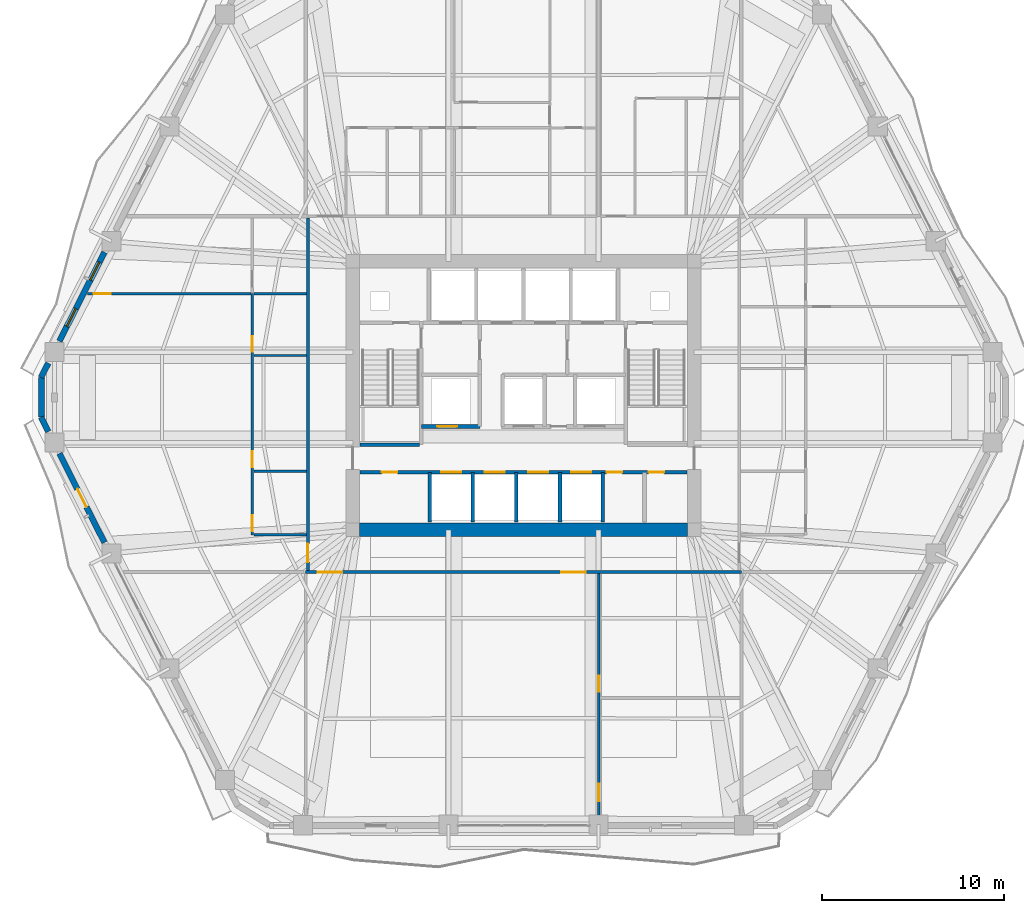
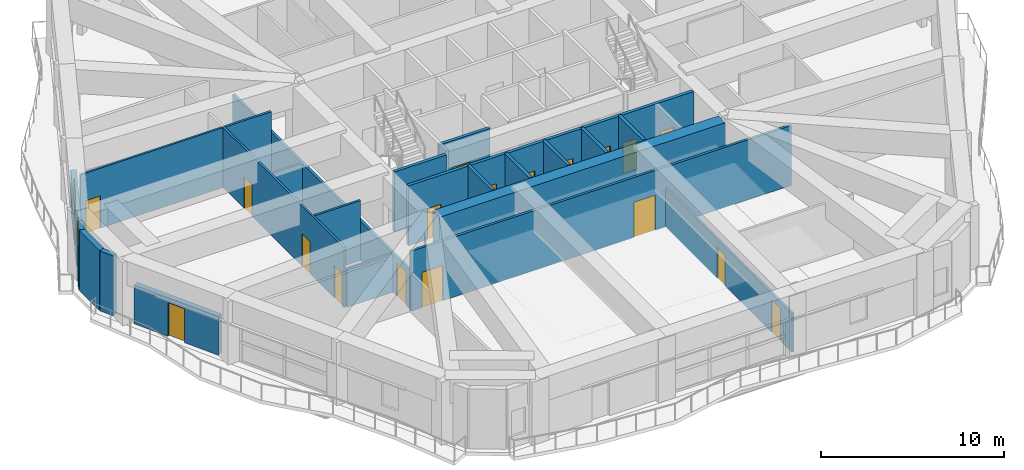
# One storey, part 14 of 23: 23 walls, 18 doors, 2 windows, 20 openings.
"""IFC4 building model written with IfcOpenShell, lengths in metres."""

from ifc_helpers import new_model, si_unit, direction, frame, frame_2d, origin, place, context, subcontext, project, spatial, rectangle, extrude, material, layer, layer_set, type_object, element, fill, save


model = new_model("IFC4")

# Units and contexts
model_context = context("Model", 3, precision=1e-05, world=origin(), true_north=direction((0.0, 1.0)))
body_context = subcontext(model_context, "Body", "Model", "MODEL_VIEW")
ifc_project = project(units=[si_unit("LENGTHUNIT", "METRE"), si_unit("AREAUNIT", "SQUARE_METRE"), si_unit("VOLUMEUNIT", "CUBIC_METRE"), si_unit("PLANEANGLEUNIT", "RADIAN"), si_unit("MASSUNIT", "GRAM", prefix="KILO")], contexts=[model_context])

# Site, building, storey
site_placement = place(None, origin())
site = spatial("IfcSite", under=ifc_project, at=site_placement, CompositionType="ELEMENT")
building_placement = place(site_placement, origin())
building = spatial("IfcBuilding", under=site, at=building_placement, Name="Cinnabar Lancet Tower", CompositionType="ELEMENT")
storey_placement = place(building_placement, frame((0.0, 0.0, 94.199951171875)))
storey = spatial("IfcBuildingStorey", under=building, at=storey_placement, Name="L24", CompositionType="ELEMENT", Elevation=94.199951171875)

# Wall, openings, doors
ifc_material_1 = material(Name="Acoustic twin-stud gypsum partition", Category="gypsum")
ifc_layer_1 = layer(ifc_material_1, 0.159912109375)
ifc_layer_set_1 = layer_set([ifc_layer_1], Name="Acoustic twin-stud gypsum partition")
wall_type_1 = type_object("IfcWallType", Name="ARC-WL-CORR-160", PredefinedType="PARTITIONING", material=ifc_layer_set_1)
wall_1_placement = place(storey_placement, frame((20.43310546875, 16.199951171875, 0.0), z_axis=(0.0, 0.0, 1.0), x_axis=(1.0, 0.0, 0.0)))
wall_1 = element("IfcWall", 1, at=wall_1_placement, inside=storey, type_object=wall_type_1, Name="PW-L24-SLN", PredefinedType="PARTITIONING", context=body_context, shape_type="SweptSolid", body=[
    extrude(rectangle(XDim=23.933837890625, YDim=0.159912109375, at=frame_2d((11.966796875, 0.0))), origin(), (0.0, 0.0, 1.0), 3.989990234375),
])
opening_1_placement = place(wall_1_placement, frame((0.6669921875, 0.0, 0.0)))
opening_1 = element("IfcOpeningElement", 2, at=opening_1_placement, cuts=wall_1, Name="Opening UD-02", PredefinedType="OPENING", context=body_context, shape_type="SweptSolid", body=[
    extrude(rectangle(XDim=1.35009765625, YDim=2.35009765625, at=frame_2d((0.675048828125, 1.175048828125))), frame((0.0, 0.08984375, 0.0), z_axis=(0.0, -1.0, 0.0), x_axis=(1.0, 0.0, 0.0)), (0.0, 0.0, 1.0), 0.179931640625),
])
opening_2_placement = place(wall_1_placement, frame((14.0390625, 0.0, 0.0)))
opening_2 = element("IfcOpeningElement", 3, at=opening_2_placement, cuts=wall_1, Name="Opening UD-02", PredefinedType="OPENING", context=body_context, shape_type="SweptSolid", body=[
    extrude(rectangle(XDim=1.35009765625, YDim=2.35009765625, at=frame_2d((0.675048828125, 1.175048828125))), frame((0.0, 0.08984375, 0.0), z_axis=(0.0, -1.0, 0.0), x_axis=(1.0, 0.0, 0.0)), (0.0, 0.0, 1.0), 0.179931640625),
])
ifc_material_2 = material(Name="Double-leaf solid timber penthouse entrance door", Category="wood")
door_type_1 = type_object("IfcDoorType", Name="ARC-DR-UNIT-PH", OperationType="NOTDEFINED", PredefinedType="DOOR", material=ifc_material_2)
door_1_placement = place(opening_1_placement, origin())
door_1 = element("IfcDoor", 4, at=door_1_placement, inside=storey, type_object=door_type_1, Name="DR-L24-SLOBW", OperationType="SINGLE_SWING_LEFT", OverallHeight=2.35009765625, OverallWidth=1.35009765625, PredefinedType="DOOR", context=body_context, shape_type="SweptSolid", body=[
    extrude(rectangle(XDim=1.35009765625, YDim=2.35009765625, at=frame_2d((0.675048828125, 1.175048828125))), frame((0.0, 0.02490234375, 0.0), z_axis=(0.0, -1.0, 0.0), x_axis=(1.0, 0.0, 0.0)), (0.0, 0.0, 1.0), 0.050048828125),
])
fill(opening_1, door_1)
door_2_placement = place(opening_2_placement, origin())
door_2 = element("IfcDoor", 5, at=door_2_placement, inside=storey, type_object=door_type_1, Name="DR-L24-SLOBE", OperationType="SINGLE_SWING_RIGHT", OverallHeight=2.35009765625, OverallWidth=1.35009765625, PredefinedType="DOOR", context=body_context, shape_type="SweptSolid", body=[
    extrude(rectangle(XDim=1.35009765625, YDim=2.35009765625, at=frame_2d((0.675048828125, 1.175048828125))), frame((0.0, 0.02490234375, 0.0), z_axis=(0.0, -1.0, 0.0), x_axis=(1.0, 0.0, 0.0)), (0.0, 0.0, 1.0), 0.050048828125),
])
fill(opening_2, door_2)

# Wall, opening, door
wall_2_placement = place(storey_placement, frame((20.550048828125, 16.294921875, 0.0), z_axis=(0.0, 0.0, 1.0), x_axis=(0.0, 1.0, 0.0)))
wall_2 = element("IfcWall", 6, at=wall_2_placement, inside=storey, type_object=wall_type_1, Name="UW-L24-W01-COR", PredefinedType="PARTITIONING", context=body_context, shape_type="SweptSolid", body=[
    extrude(rectangle(XDim=19.360107421875, YDim=0.159912109375, at=frame_2d((9.68017578125, 0.0))), origin(), (0.0, 0.0, 1.0), 2.590087890625),
])
opening_3_placement = place(wall_2_placement, frame((0.449951171875, 0.0, 0.0)))
opening_3 = element("IfcOpeningElement", 7, at=opening_3_placement, cuts=wall_2, Name="Opening UD-01", PredefinedType="OPENING", context=body_context, shape_type="SweptSolid", body=[
    extrude(rectangle(XDim=1.02001953125, YDim=2.25, at=frame_2d((0.510009765625, 1.125))), frame((0.0, 0.08984375, 0.0), z_axis=(0.0, -1.0, 0.0), x_axis=(1.0, 0.0, 0.0)), (0.0, 0.0, 1.0), 0.179931640625),
])
ifc_material_3 = material(Name="Solid timber fire-rated apartment entrance door", Category="wood")
door_type_2 = type_object("IfcDoorType", Name="ARC-DR-UNIT", OperationType="NOTDEFINED", PredefinedType="DOOR", material=ifc_material_3)
door_3_placement = place(opening_3_placement, origin())
door_3 = element("IfcDoor", 8, at=door_3_placement, inside=storey, type_object=door_type_2, Name="DR-L24-W01-ENT", OperationType="SINGLE_SWING_LEFT", OverallHeight=2.25, OverallWidth=1.02001953125, PredefinedType="DOOR", context=body_context, shape_type="SweptSolid", body=[
    extrude(rectangle(XDim=1.02001953125, YDim=2.25, at=frame_2d((0.510009765625, 1.125))), frame((0.0, 0.02490234375, 0.0), z_axis=(0.0, -1.0, 0.0), x_axis=(1.0, 0.0, 0.0)), (0.0, 0.0, 1.0), 0.050048828125),
])
fill(opening_3, door_3)

# Wall
ifc_material_4 = material(Name="Autoclaved aerated concrete blockwork", Category="masonry")
ifc_layer_2 = layer(ifc_material_4, 0.199951171875)
ifc_layer_set_2 = layer_set([ifc_layer_2], Name="Autoclaved aerated concrete blockwork")
wall_type_2 = type_object("IfcWallType", Name="ARC-WL-SHAFT-200", PredefinedType="PLUMBINGWALL", material=ifc_layer_set_2)
wall_3_placement = place(storey_placement, frame((23.405029296875, 23.199951171875, 0.0), z_axis=(0.0, 0.0, 1.0), x_axis=(1.0, 0.0, 0.0)))
element("IfcWall", 9, at=wall_3_placement, inside=storey, type_object=wall_type_2, Name="CW-ST1S-L24", PredefinedType="PLUMBINGWALL", context=body_context, shape_type="SweptSolid", body=[
    extrude(rectangle(XDim=3.27001953125, YDim=0.199951171875, at=frame_2d((1.635009765625, 0.0))), origin(), (0.0, 0.0, 1.0), 3.989990234375),
])

# Wall, opening, door
wall_4_placement = place(storey_placement, frame((26.800048828125, 24.199951171875, 0.0), z_axis=(0.0, 0.0, 1.0), x_axis=(1.0, 0.0, 0.0)))
wall_4 = element("IfcWall", 10, at=wall_4_placement, inside=storey, type_object=wall_type_2, Name="CW-PL5S-L24", PredefinedType="PLUMBINGWALL", context=body_context, shape_type="SweptSolid", body=[
    extrude(rectangle(XDim=3.199951171875, YDim=0.199951171875, at=frame_2d((1.60009765625, 0.0))), origin(), (0.0, 0.0, 1.0), 3.989990234375),
])
opening_4_placement = place(wall_4_placement, frame((0.85009765625, 0.0, 0.0)))
opening_4 = element("IfcOpeningElement", 11, at=opening_4_placement, cuts=wall_4, Name="Opening LD-01", PredefinedType="OPENING", context=body_context, shape_type="SweptSolid", body=[
    extrude(rectangle(XDim=1.10009765625, YDim=2.199951171875, at=frame_2d((0.550048828125, 1.10009765625))), frame((0.0, 0.10986328125, 0.0), z_axis=(0.0, -1.0, 0.0), x_axis=(1.0, 0.0, 0.0)), (0.0, 0.0, 1.0), 0.219970703125),
])
ifc_material_5 = material(Name="Brushed stainless steel sliding lift door", Category="steel")
door_type_3 = type_object("IfcDoorType", Name="ARC-DR-LD-PASS", OperationType="NOTDEFINED", PredefinedType="DOOR", material=ifc_material_5)
door_4_placement = place(opening_4_placement, origin())
door_4 = element("IfcDoor", 12, at=door_4_placement, inside=storey, type_object=door_type_3, Name="L24 Lift PL-5 Landing Door", OperationType="DOUBLE_DOOR_SLIDING", OverallHeight=2.199951171875, OverallWidth=1.10009765625, PredefinedType="DOOR", context=body_context, shape_type="SweptSolid", body=[
    extrude(rectangle(XDim=1.10009765625, YDim=2.199951171875, at=frame_2d((0.550048828125, 1.10009765625))), frame((0.0, 0.02490234375, 0.0), z_axis=(0.0, -1.0, 0.0), x_axis=(1.0, 0.0, 0.0)), (0.0, 0.0, 1.0), 0.050048828125),
])
fill(opening_4, door_4)

# Wall, openings, doors
wall_5_placement = place(storey_placement, frame((23.419921875, 21.679931640625, 0.0), z_axis=(0.0, 0.0, 1.0), x_axis=(1.0, 0.0, 0.0)))
wall_5 = element("IfcWall", 13, at=wall_5_placement, inside=storey, type_object=wall_type_2, Name="CW-SBANDN-L24", PredefinedType="PLUMBINGWALL", context=body_context, shape_type="SweptSolid", body=[
    extrude(rectangle(XDim=17.9599609375, YDim=0.199951171875, at=frame_2d((8.97998046875, 0.0))), origin(), (0.0, 0.0, 1.0), 3.989990234375),
])
opening_5_placement = place(wall_5_placement, frame((4.449951171875, 0.0, 0.0)))
opening_5 = element("IfcOpeningElement", 14, at=opening_5_placement, cuts=wall_5, Name="Opening LD-01", PredefinedType="OPENING", context=body_context, shape_type="SweptSolid", body=[
    extrude(rectangle(XDim=1.10009765625, YDim=2.199951171875, at=frame_2d((0.550048828125, 1.10009765625))), frame((0.0, 0.10986328125, 0.0), z_axis=(0.0, -1.0, 0.0), x_axis=(1.0, 0.0, 0.0)), (0.0, 0.0, 1.0), 0.219970703125),
])
opening_6_placement = place(wall_5_placement, frame((6.85009765625, 0.0, 0.0)))
opening_6 = element("IfcOpeningElement", 15, at=opening_6_placement, cuts=wall_5, Name="Opening LD-01", PredefinedType="OPENING", context=body_context, shape_type="SweptSolid", body=[
    extrude(rectangle(XDim=1.10009765625, YDim=2.199951171875, at=frame_2d((0.550048828125, 1.10009765625))), frame((0.0, 0.10986328125, 0.0), z_axis=(0.0, -1.0, 0.0), x_axis=(1.0, 0.0, 0.0)), (0.0, 0.0, 1.0), 0.219970703125),
])
opening_7_placement = place(wall_5_placement, frame((9.25, 0.0, 0.0)))
opening_7 = element("IfcOpeningElement", 16, at=opening_7_placement, cuts=wall_5, Name="Opening LD-01", PredefinedType="OPENING", context=body_context, shape_type="SweptSolid", body=[
    extrude(rectangle(XDim=1.10009765625, YDim=2.199951171875, at=frame_2d((0.550048828125, 1.10009765625))), frame((0.0, 0.10986328125, 0.0), z_axis=(0.0, -1.0, 0.0), x_axis=(1.0, 0.0, 0.0)), (0.0, 0.0, 1.0), 0.219970703125),
])
opening_8_placement = place(wall_5_placement, frame((11.60009765625, 0.0, 0.0)))
opening_8 = element("IfcOpeningElement", 17, at=opening_8_placement, cuts=wall_5, Name="Opening LD-01", PredefinedType="OPENING", context=body_context, shape_type="SweptSolid", body=[
    extrude(rectangle(XDim=1.10009765625, YDim=2.199951171875, at=frame_2d((0.550048828125, 1.10009765625))), frame((0.0, 0.10986328125, 0.0), z_axis=(0.0, -1.0, 0.0), x_axis=(1.0, 0.0, 0.0)), (0.0, 0.0, 1.0), 0.219970703125),
])
opening_9_placement = place(wall_5_placement, frame((1.199951171875, 0.0, 0.0)))
opening_9 = element("IfcOpeningElement", 18, at=opening_9_placement, cuts=wall_5, Name="Opening PD-02", PredefinedType="OPENING", context=body_context, shape_type="SweptSolid", body=[
    extrude(rectangle(XDim=0.85009765625, YDim=2.050048828125, at=frame_2d((0.425048828125, 1.02490234375))), frame((0.0, 0.10986328125, 0.0), z_axis=(0.0, -1.0, 0.0), x_axis=(1.0, 0.0, 0.0)), (0.0, 0.0, 1.0), 0.219970703125),
])
opening_10_placement = place(wall_5_placement, frame((13.550048828125, 0.0, 0.0)))
opening_10 = element("IfcOpeningElement", 19, at=opening_10_placement, cuts=wall_5, Name="Opening PD-02", PredefinedType="OPENING", context=body_context, shape_type="SweptSolid", body=[
    extrude(rectangle(XDim=0.85009765625, YDim=2.050048828125, at=frame_2d((0.425048828125, 1.02490234375))), frame((0.0, 0.10986328125, 0.0), z_axis=(0.0, -1.0, 0.0), x_axis=(1.0, 0.0, 0.0)), (0.0, 0.0, 1.0), 0.219970703125),
])
opening_11_placement = place(wall_5_placement, frame((15.85009765625, 0.0, 0.0)))
opening_11 = element("IfcOpeningElement", 20, at=opening_11_placement, cuts=wall_5, Name="Opening PD-02", PredefinedType="OPENING", context=body_context, shape_type="SweptSolid", body=[
    extrude(rectangle(XDim=0.85009765625, YDim=2.050048828125, at=frame_2d((0.425048828125, 1.02490234375))), frame((0.0, 0.10986328125, 0.0), z_axis=(0.0, -1.0, 0.0), x_axis=(1.0, 0.0, 0.0)), (0.0, 0.0, 1.0), 0.219970703125),
])
door_5_placement = place(opening_5_placement, origin())
door_5 = element("IfcDoor", 21, at=door_5_placement, inside=storey, type_object=door_type_3, Name="L24 Lift PL-1 Landing Door", OperationType="DOUBLE_DOOR_SLIDING", OverallHeight=2.199951171875, OverallWidth=1.10009765625, PredefinedType="DOOR", context=body_context, shape_type="SweptSolid", body=[
    extrude(rectangle(XDim=1.10009765625, YDim=2.199951171875, at=frame_2d((0.550048828125, 1.10009765625))), frame((0.0, 0.02490234375, 0.0), z_axis=(0.0, -1.0, 0.0), x_axis=(1.0, 0.0, 0.0)), (0.0, 0.0, 1.0), 0.050048828125),
])
fill(opening_5, door_5)
door_6_placement = place(opening_6_placement, origin())
door_6 = element("IfcDoor", 22, at=door_6_placement, inside=storey, type_object=door_type_3, Name="L24 Lift PL-2 Landing Door", OperationType="DOUBLE_DOOR_SLIDING", OverallHeight=2.199951171875, OverallWidth=1.10009765625, PredefinedType="DOOR", context=body_context, shape_type="SweptSolid", body=[
    extrude(rectangle(XDim=1.10009765625, YDim=2.199951171875, at=frame_2d((0.550048828125, 1.10009765625))), frame((0.0, 0.02490234375, 0.0), z_axis=(0.0, -1.0, 0.0), x_axis=(1.0, 0.0, 0.0)), (0.0, 0.0, 1.0), 0.050048828125),
])
fill(opening_6, door_6)
door_7_placement = place(opening_7_placement, origin())
door_7 = element("IfcDoor", 23, at=door_7_placement, inside=storey, type_object=door_type_3, Name="L24 Lift PL-3 Landing Door", OperationType="DOUBLE_DOOR_SLIDING", OverallHeight=2.199951171875, OverallWidth=1.10009765625, PredefinedType="DOOR", context=body_context, shape_type="SweptSolid", body=[
    extrude(rectangle(XDim=1.10009765625, YDim=2.199951171875, at=frame_2d((0.550048828125, 1.10009765625))), frame((0.0, 0.02490234375, 0.0), z_axis=(0.0, -1.0, 0.0), x_axis=(1.0, 0.0, 0.0)), (0.0, 0.0, 1.0), 0.050048828125),
])
fill(opening_7, door_7)
door_8_placement = place(opening_8_placement, origin())
door_8 = element("IfcDoor", 24, at=door_8_placement, inside=storey, type_object=door_type_3, Name="L24 Lift PL-4 Landing Door", OperationType="DOUBLE_DOOR_SLIDING", OverallHeight=2.199951171875, OverallWidth=1.10009765625, PredefinedType="DOOR", context=body_context, shape_type="SweptSolid", body=[
    extrude(rectangle(XDim=1.10009765625, YDim=2.199951171875, at=frame_2d((0.550048828125, 1.10009765625))), frame((0.0, 0.02490234375, 0.0), z_axis=(0.0, -1.0, 0.0), x_axis=(1.0, 0.0, 0.0)), (0.0, 0.0, 1.0), 0.050048828125),
])
fill(opening_8, door_8)
ifc_material_6 = material(Name="Fire-rated steel riser access door", Category="steel")
door_type_4 = type_object("IfcDoorType", Name="ARC-DR-RISER", OperationType="NOTDEFINED", PredefinedType="DOOR", material=ifc_material_6)
door_9_placement = place(opening_9_placement, origin())
door_9 = element("IfcDoor", 25, at=door_9_placement, inside=storey, type_object=door_type_4, Name="DR-L24-SW1", OperationType="SINGLE_SWING_LEFT", OverallHeight=2.050048828125, OverallWidth=0.85009765625, PredefinedType="DOOR", context=body_context, shape_type="SweptSolid", body=[
    extrude(rectangle(XDim=0.85009765625, YDim=2.050048828125, at=frame_2d((0.425048828125, 1.02490234375))), frame((0.0, 0.02490234375, 0.0), z_axis=(0.0, -1.0, 0.0), x_axis=(1.0, 0.0, 0.0)), (0.0, 0.0, 1.0), 0.050048828125),
])
fill(opening_9, door_9)
door_10_placement = place(opening_10_placement, origin())
door_10 = element("IfcDoor", 26, at=door_10_placement, inside=storey, type_object=door_type_4, Name="DR-L24-SE1", OperationType="SINGLE_SWING_LEFT", OverallHeight=2.050048828125, OverallWidth=0.85009765625, PredefinedType="DOOR", context=body_context, shape_type="SweptSolid", body=[
    extrude(rectangle(XDim=0.85009765625, YDim=2.050048828125, at=frame_2d((0.425048828125, 1.02490234375))), frame((0.0, 0.02490234375, 0.0), z_axis=(0.0, -1.0, 0.0), x_axis=(1.0, 0.0, 0.0)), (0.0, 0.0, 1.0), 0.050048828125),
])
fill(opening_10, door_10)
door_11_placement = place(opening_11_placement, origin())
door_11 = element("IfcDoor", 27, at=door_11_placement, inside=storey, type_object=door_type_4, Name="DR-L24-SE2", OperationType="SINGLE_SWING_RIGHT", OverallHeight=2.050048828125, OverallWidth=0.85009765625, PredefinedType="DOOR", context=body_context, shape_type="SweptSolid", body=[
    extrude(rectangle(XDim=0.85009765625, YDim=2.050048828125, at=frame_2d((0.425048828125, 1.02490234375))), frame((0.0, 0.02490234375, 0.0), z_axis=(0.0, -1.0, 0.0), x_axis=(1.0, 0.0, 0.0)), (0.0, 0.0, 1.0), 0.050048828125),
])
fill(opening_11, door_11)

# Walls
for number, where, z_axis, x_axis, name in (
    (28, (27.25, 18.949951171875, 0.0), (0.0, 0.0, 1.0), (0.0, 1.0, 0.0), "CW-SB-2725-L24"),
    (29, (29.60009765625, 18.949951171875, 0.0), (0.0, 0.0, 1.0), (0.0, 1.0, 0.0), "CW-SB-2960-L24"),
    (30, (32.0, 18.949951171875, 0.0), (0.0, 0.0, 1.0), (0.0, 1.0, 0.0), "CW-SB-3200-L24"),
    (31, (34.39990234375, 18.949951171875, 0.0), (0.0, 0.0, 1.0), (0.0, 1.0, 0.0), "CW-SB-3440-L24"),
    (32, (36.75, 18.949951171875, 0.0), (0.0, 0.0, 1.0), (0.0, 1.0, 0.0), "CW-SB-3675-L24"),
):
    element("IfcWall", number, at=place(storey_placement, frame(where, z_axis=z_axis, x_axis=x_axis)), inside=storey, type_object=wall_type_2, Name=name, PredefinedType="PLUMBINGWALL", context=body_context, shape_type="SweptSolid", body=[
        extrude(rectangle(XDim=2.72998046875, YDim=0.199951171875, at=frame_2d((1.364990234375, 0.0))), origin(), (0.0, 0.0, 1.0), 3.989990234375),
    ])
ifc_material_7 = material(Name="Gypsum plasterboard stud partition", Category="gypsum")
ifc_layer_3 = layer(ifc_material_7, 0.125)
ifc_layer_set_3 = layer_set([ifc_layer_3], Name="Gypsum plasterboard stud partition")
wall_type_3 = type_object("IfcWallType", Name="ARC-WL-UNIT-125", PredefinedType="PARTITIONING", material=ifc_layer_set_3)
wall_6_placement = place(storey_placement, frame((17.5849609375, 18.25, 0.0), z_axis=(0.0, 0.0, 1.0), x_axis=(1.0, 0.0, 0.0)))
element("IfcWall", 33, at=wall_6_placement, inside=storey, type_object=wall_type_3, Name="UW-L24-W01-FOYN", PredefinedType="PARTITIONING", context=body_context, shape_type="SweptSolid", body=[
    extrude(rectangle(XDim=2.880126953125, YDim=0.125, at=frame_2d((1.43994140625, 0.0))), origin(), (0.0, 0.0, 1.0), 2.590087890625),
])

# Wall, opening, door
wall_7_placement = place(storey_placement, frame((8.447021484375, 31.498046875, 0.0), z_axis=(0.0, 0.0, 1.0), x_axis=(1.0, 0.0, 0.0)))
wall_7 = element("IfcWall", 34, at=wall_7_placement, inside=storey, type_object=wall_type_3, Name="UW-L24-W01-MBN", PredefinedType="PARTITIONING", context=body_context, shape_type="SweptSolid", body=[
    extrude(rectangle(XDim=8.97802734375, YDim=0.125, at=frame_2d((4.489013671875, 0.0))), origin(), (0.0, 0.0, 1.0), 3.989990234375),
])
opening_12_placement = place(wall_7_placement, frame((0.35009765625, 0.0, 0.0)))
opening_12 = element("IfcOpeningElement", 35, at=opening_12_placement, cuts=wall_7, Name="Opening RD-01", PredefinedType="OPENING", context=body_context, shape_type="SweptSolid", body=[
    extrude(rectangle(XDim=0.919921875, YDim=2.14990234375, at=frame_2d((0.4599609375, 1.074951171875))), frame((0.0, 0.072509765625, 0.0), z_axis=(0.0, -1.0, 0.0), x_axis=(1.0, 0.0, 0.0)), (0.0, 0.0, 1.0), 0.14501953125),
])
ifc_material_8 = material(Name="Engineered timber bedroom door", Category="wood")
door_type_5 = type_object("IfcDoorType", Name="ARC-DR-ROOM", OperationType="NOTDEFINED", PredefinedType="DOOR", material=ifc_material_8)
door_12_placement = place(opening_12_placement, origin())
door_12 = element("IfcDoor", 36, at=door_12_placement, inside=storey, type_object=door_type_5, Name="DR-L24-W01-MBD", OperationType="SINGLE_SWING_LEFT", OverallHeight=2.14990234375, OverallWidth=0.919921875, PredefinedType="DOOR", context=body_context, shape_type="SweptSolid", body=[
    extrude(rectangle(XDim=0.919921875, YDim=2.14990234375, at=frame_2d((0.4599609375, 1.074951171875))), frame((0.0, 0.02490234375, 0.0), z_axis=(0.0, -1.0, 0.0), x_axis=(1.0, 0.0, 0.0)), (0.0, 0.0, 1.0), 0.050048828125),
])
fill(opening_12, door_12)

# Wall
wall_8_placement = place(storey_placement, frame((17.5849609375, 28.097900390625, 0.0), z_axis=(0.0, 0.0, 1.0), x_axis=(1.0, 0.0, 0.0)))
element("IfcWall", 37, at=wall_8_placement, inside=storey, type_object=wall_type_3, Name="UW-L24-W01-UDV", PredefinedType="PARTITIONING", context=body_context, shape_type="SweptSolid", body=[
    extrude(rectangle(XDim=2.880126953125, YDim=0.125, at=frame_2d((1.43994140625, 0.0))), origin(), (0.0, 0.0, 1.0), 2.590087890625),
])

# Wall, openings, doors
ifc_material_9 = material(Name="Moisture-resistant cement-board plumbing wall", Category="masonry")
ifc_layer_4 = layer(ifc_material_9, 0.139892578125)
ifc_layer_set_4 = layer_set([ifc_layer_4], Name="Moisture-resistant cement-board plumbing wall")
wall_type_4 = type_object("IfcWallType", Name="ARC-WL-WET-140", PredefinedType="PLUMBINGWALL", material=ifc_layer_set_4)
wall_9_placement = place(storey_placement, frame((36.52197265625, 2.364990234375, 0.0), z_axis=(0.0, 0.0, 1.0), x_axis=(0.0, 1.0, 0.0)))
wall_9 = element("IfcWall", 38, at=wall_9_placement, inside=storey, type_object=wall_type_4, Name="PW-L24-SLWC", PredefinedType="PLUMBINGWALL", context=body_context, shape_type="SweptSolid", body=[
    extrude(rectangle(XDim=13.75, YDim=0.139892578125, at=frame_2d((6.875, 0.0))), origin(), (0.0, 0.0, 1.0), 2.590087890625),
])
opening_13_placement = place(wall_9_placement, frame((7.26708984375, 0.0, 0.0)))
opening_13 = element("IfcOpeningElement", 39, at=opening_13_placement, cuts=wall_9, Name="Opening BD-01", PredefinedType="OPENING", context=body_context, shape_type="SweptSolid", body=[
    extrude(rectangle(XDim=0.860107421875, YDim=2.10009765625, at=frame_2d((0.43017578125, 1.050048828125))), frame((0.0, 0.079833984375, 0.0), z_axis=(0.0, -1.0, 0.0), x_axis=(1.0, 0.0, 0.0)), (0.0, 0.0, 1.0), 0.159912109375),
])
opening_14_placement = place(wall_9_placement, frame((1.25, 0.0, 0.0)))
opening_14 = element("IfcOpeningElement", 40, at=opening_14_placement, cuts=wall_9, Name="Opening BD-02", PredefinedType="OPENING", context=body_context, shape_type="SweptSolid", body=[
    extrude(rectangle(XDim=0.9599609375, YDim=2.14990234375, at=frame_2d((0.47998046875, 1.074951171875))), frame((0.0, 0.079833984375, 0.0), z_axis=(0.0, -1.0, 0.0), x_axis=(1.0, 0.0, 0.0)), (0.0, 0.0, 1.0), 0.159912109375),
])
ifc_material_10 = material(Name="Accessible wide-leaf washroom door", Category="wood")
door_type_6 = type_object("IfcDoorType", Name="ARC-DR-ACCWC", OperationType="NOTDEFINED", PredefinedType="DOOR", material=ifc_material_10)
door_13_placement = place(opening_14_placement, origin())
door_13 = element("IfcDoor", 41, at=door_13_placement, inside=storey, type_object=door_type_6, Name="DR-L24-ACCWC", OperationType="SINGLE_SWING_RIGHT", OverallHeight=2.14990234375, OverallWidth=0.9599609375, PredefinedType="DOOR", context=body_context, shape_type="SweptSolid", body=[
    extrude(rectangle(XDim=0.9599609375, YDim=2.14990234375, at=frame_2d((0.47998046875, 1.074951171875))), frame((0.0, 0.02490234375, 0.0), z_axis=(0.0, -1.0, 0.0), x_axis=(1.0, 0.0, 0.0)), (0.0, 0.0, 1.0), 0.050048828125),
])
fill(opening_14, door_13)
ifc_material_11 = material(Name="Moisture-resistant timber bathroom door", Category="wood")
door_type_7 = type_object("IfcDoorType", Name="ARC-DR-BATH", OperationType="NOTDEFINED", PredefinedType="DOOR", material=ifc_material_11)
door_14_placement = place(opening_13_placement, origin())
door_14 = element("IfcDoor", 42, at=door_14_placement, inside=storey, type_object=door_type_7, Name="DR-L24-PUBWC", OperationType="SINGLE_SWING_LEFT", OverallHeight=2.10009765625, OverallWidth=0.860107421875, PredefinedType="DOOR", context=body_context, shape_type="SweptSolid", body=[
    extrude(rectangle(XDim=0.860107421875, YDim=2.10009765625, at=frame_2d((0.43017578125, 1.050048828125))), frame((0.0, 0.02490234375, 0.0), z_axis=(0.0, -1.0, 0.0), x_axis=(1.0, 0.0, 0.0)), (0.0, 0.0, 1.0), 0.050048828125),
])
fill(opening_13, door_14)

wall_10_placement = place(storey_placement, frame((17.5, 18.25, 0.0), z_axis=(0.0, 0.0, 1.0), x_axis=(0.0, 1.0, 0.0)))
wall_10 = element("IfcWall", 43, at=wall_10_placement, inside=storey, type_object=wall_type_4, Name="UW-L24-W01-SPL", PredefinedType="PLUMBINGWALL", context=body_context, shape_type="SweptSolid", body=[
    extrude(rectangle(XDim=13.248046875, YDim=0.139892578125, at=frame_2d((6.6240234375, 0.0))), origin(), (0.0, 0.0, 1.0), 3.989990234375),
])
opening_15_placement = place(wall_10_placement, frame((0.199951171875, 0.0, 0.0)))
opening_15 = element("IfcOpeningElement", 44, at=opening_15_placement, cuts=wall_10, Name="Opening RD-02", PredefinedType="OPENING", context=body_context, shape_type="SweptSolid", body=[
    extrude(rectangle(XDim=0.8798828125, YDim=2.14990234375, at=frame_2d((0.43994140625, 1.074951171875))), frame((0.0, 0.079833984375, 0.0), z_axis=(0.0, -1.0, 0.0), x_axis=(1.0, 0.0, 0.0)), (0.0, 0.0, 1.0), 0.159912109375),
])
opening_16_placement = place(wall_10_placement, frame((3.699951171875, 0.0, 0.0)))
opening_16 = element("IfcOpeningElement", 45, at=opening_16_placement, cuts=wall_10, Name="Opening RD-02", PredefinedType="OPENING", context=body_context, shape_type="SweptSolid", body=[
    extrude(rectangle(XDim=0.8798828125, YDim=2.14990234375, at=frame_2d((0.43994140625, 1.074951171875))), frame((0.0, 0.079833984375, 0.0), z_axis=(0.0, -1.0, 0.0), x_axis=(1.0, 0.0, 0.0)), (0.0, 0.0, 1.0), 0.159912109375),
])
opening_17_placement = place(wall_10_placement, frame((10.048095703125, 0.0, 0.0)))
opening_17 = element("IfcOpeningElement", 46, at=opening_17_placement, cuts=wall_10, Name="Opening BD-01", PredefinedType="OPENING", context=body_context, shape_type="SweptSolid", body=[
    extrude(rectangle(XDim=0.860107421875, YDim=2.10009765625, at=frame_2d((0.43017578125, 1.050048828125))), frame((0.0, 0.079833984375, 0.0), z_axis=(0.0, -1.0, 0.0), x_axis=(1.0, 0.0, 0.0)), (0.0, 0.0, 1.0), 0.159912109375),
])
door_15_placement = place(opening_17_placement, origin())
door_15 = element("IfcDoor", 47, at=door_15_placement, inside=storey, type_object=door_type_7, Name="DR-L24-W01-BTH", OperationType="SINGLE_SWING_RIGHT", OverallHeight=2.10009765625, OverallWidth=0.860107421875, PredefinedType="DOOR", context=body_context, shape_type="SweptSolid", body=[
    extrude(rectangle(XDim=0.860107421875, YDim=2.10009765625, at=frame_2d((0.43017578125, 1.050048828125))), frame((0.0, 0.02490234375, 0.0), z_axis=(0.0, -1.0, 0.0), x_axis=(1.0, 0.0, 0.0)), (0.0, 0.0, 1.0), 0.050048828125),
])
fill(opening_17, door_15)
ifc_material_12 = material(Name="Engineered timber study door", Category="wood")
door_type_8 = type_object("IfcDoorType", Name="ARC-DR-STUDY", OperationType="NOTDEFINED", PredefinedType="DOOR", material=ifc_material_12)
door_16_placement = place(opening_15_placement, origin())
door_16 = element("IfcDoor", 48, at=door_16_placement, inside=storey, type_object=door_type_8, Name="DR-L24-W01-KIT", OperationType="SINGLE_SWING_RIGHT", OverallHeight=2.14990234375, OverallWidth=0.8798828125, PredefinedType="DOOR", context=body_context, shape_type="SweptSolid", body=[
    extrude(rectangle(XDim=0.8798828125, YDim=2.14990234375, at=frame_2d((0.43994140625, 1.074951171875))), frame((0.0, 0.02490234375, 0.0), z_axis=(0.0, -1.0, 0.0), x_axis=(1.0, 0.0, 0.0)), (0.0, 0.0, 1.0), 0.050048828125),
])
fill(opening_15, door_16)
door_17_placement = place(opening_16_placement, origin())
door_17 = element("IfcDoor", 49, at=door_17_placement, inside=storey, type_object=door_type_8, Name="DR-L24-W01-UTL", OperationType="SINGLE_SWING_LEFT", OverallHeight=2.14990234375, OverallWidth=0.8798828125, PredefinedType="DOOR", context=body_context, shape_type="SweptSolid", body=[
    extrude(rectangle(XDim=0.8798828125, YDim=2.14990234375, at=frame_2d((0.43994140625, 1.074951171875))), frame((0.0, 0.02490234375, 0.0), z_axis=(0.0, -1.0, 0.0), x_axis=(1.0, 0.0, 0.0)), (0.0, 0.0, 1.0), 0.050048828125),
])
fill(opening_16, door_17)

# Walls
for number, where, z_axis, x_axis, name in (
    (50, (17.5849609375, 31.498046875, 0.0), (0.0, 0.0, 1.0), (1.0, 0.0, 0.0), "UW-L24-W01-ENSN"),
    (51, (17.5849609375, 21.75, 0.0), (0.0, 0.0, 1.0), (1.0, 0.0, 0.0), "UW-L24-W01-KDV"),
):
    element("IfcWall", number, at=place(storey_placement, frame(where, z_axis=z_axis, x_axis=x_axis)), inside=storey, type_object=wall_type_4, Name=name, PredefinedType="PLUMBINGWALL", context=body_context, shape_type="SweptSolid", body=[
        extrude(rectangle(XDim=2.880126953125, YDim=0.139892578125, at=frame_2d((1.43994140625, 0.0))), origin(), (0.0, 0.0, 1.0), 3.989990234375),
    ])
ifc_material_13 = material(Name="Warm buff clay brick", Category="masonry")
ifc_layer_5 = layer(ifc_material_13, 0.320068359375)
ifc_layer_set_5 = layer_set([ifc_layer_5], Name="Warm buff clay brick")
wall_type_5 = type_object("IfcWallType", Name="ENV-WL-BRK-BUF-320", PredefinedType="STANDARD", material=ifc_layer_set_5)
wall_11_placement = place(storey_placement, frame((5.912109375, 26.887939453125, 0.0), z_axis=(0.0, 0.0, 1.0), x_axis=(0.0, -1.0, 0.0)))
element("IfcWall", 52, at=wall_11_placement, inside=storey, type_object=wall_type_5, Name="L24 Chamfered Corner Brick Pier 6.1", PredefinedType="STANDARD", context=body_context, shape_type="SweptSolid", body=[
    extrude(rectangle(XDim=2.176025390625, YDim=0.320068359375, at=frame_2d((1.087890625, 0.0))), origin(), (0.0, 0.0, 1.0), 3.989990234375),
])

# Wall, openings, windows
wall_12_placement = place(storey_placement, frame((9.375, 33.779052734375, 0.0), z_axis=(0.0, 0.0, 1.0), x_axis=(-0.451447853766, -0.892297503824, 0.0)))
wall_12 = element("IfcWall", 53, at=wall_12_placement, inside=storey, type_object=wall_type_5, Name="L24 Face 5 Masonry Bay Wall 4", PredefinedType="STANDARD", context=body_context, shape_type="SweptSolid", body=[
    extrude(rectangle(XDim=5.482666015625, YDim=0.320068359375, at=frame_2d((2.7412109375, 0.0))), origin(), (0.0, 0.0, 1.0), 2.590087890625),
])
opening_18_placement = place(wall_12_placement, frame((0.616943359375, 0.0, 0.75)))
opening_18 = element("IfcOpeningElement", 54, at=opening_18_placement, cuts=wall_12, Name="Opening WN-04", PredefinedType="OPENING", context=body_context, shape_type="SweptSolid", body=[
    extrude(rectangle(XDim=1.10009765625, YDim=1.68994140625, at=frame_2d((0.550048828125, 0.844970703125))), frame((0.0, 0.169921875, 0.0), z_axis=(0.0, -1.0, 0.0), x_axis=(1.0, 0.0, 0.0)), (0.0, 0.0, 1.0), 0.340087890625),
])
opening_19_placement = place(wall_12_placement, frame((3.47802734375, 0.0, 0.75)))
opening_19 = element("IfcOpeningElement", 55, at=opening_19_placement, cuts=wall_12, Name="Opening WN-04", PredefinedType="OPENING", context=body_context, shape_type="SweptSolid", body=[
    extrude(rectangle(XDim=1.10009765625, YDim=1.56005859375, at=frame_2d((0.550048828125, 0.780029296875))), frame((0.0, 0.169921875, 0.0), z_axis=(0.0, -1.0, 0.0), x_axis=(1.0, 0.0, 0.0)), (0.0, 0.0, 1.0), 0.340087890625),
])
ifc_material_14 = material(Name="Thermally broken bronze-anodized aluminium tall lancet window", Category="aluminium")
window_type = type_object("IfcWindowType", Name="ENV-WN-LANCET-1100", PartitioningType="SINGLE_PANEL", PredefinedType="WINDOW", material=ifc_material_14)
window_1_placement = place(opening_18_placement, origin())
window_1 = element("IfcWindow", 56, at=window_1_placement, inside=storey, type_object=window_type, Name="L24 Face 5 Gothic Lancet Window 4", OverallHeight=1.68994140625, OverallWidth=1.10009765625, PartitioningType="SINGLE_PANEL", PredefinedType="WINDOW", context=body_context, shape_type="SweptSolid", body=[
    extrude(rectangle(XDim=1.10009765625, YDim=1.68994140625, at=frame_2d((0.550048828125, 0.844970703125))), frame((0.0, 0.030029296875, 0.0), z_axis=(0.0, -1.0, 0.0), x_axis=(1.0, 0.0, 0.0)), (0.0, 0.0, 1.0), 0.06005859375),
])
fill(opening_18, window_1)
window_2_placement = place(opening_19_placement, origin())
window_2 = element("IfcWindow", 57, at=window_2_placement, inside=storey, type_object=window_type, Name="L24 Split-Bay Gothic Lancet Window 83", OverallHeight=1.56005859375, OverallWidth=1.10009765625, PartitioningType="SINGLE_PANEL", PredefinedType="WINDOW", context=body_context, shape_type="SweptSolid", body=[
    extrude(rectangle(XDim=1.10009765625, YDim=1.56005859375, at=frame_2d((0.550048828125, 0.780029296875))), frame((0.0, 0.030029296875, 0.0), z_axis=(0.0, -1.0, 0.0), x_axis=(1.0, 0.0, 0.0)), (0.0, 0.0, 1.0), 0.06005859375),
])
fill(opening_19, window_2)

# Walls
for number, where, z_axis, x_axis, name in (
    (58, (6.2919921875, 27.68505859375, 0.0), (0.0, 0.0, 1.0), (-0.451619580519, -0.892210599854, 0.0), "L24 Face 5 Masonry Bay Wall 5"),
    (59, (5.89208984375, 24.705078125, 0.0), (0.0, 0.0, 1.0), (0.451619580519, -0.892210599854, 0.0), "L24 Face 6 Masonry Bay Wall 1"),
):
    element("IfcWall", number, at=place(storey_placement, frame(where, z_axis=z_axis, x_axis=x_axis)), inside=storey, type_object=wall_type_5, Name=name, PredefinedType="STANDARD", context=body_context, shape_type="SweptSolid", body=[
        extrude(rectangle(XDim=0.885498046875, YDim=0.320068359375, at=frame_2d((0.44287109375, 0.0))), origin(), (0.0, 0.0, 1.0), 3.989990234375),
    ])

# Wall, opening, door
wall_13_placement = place(storey_placement, frame((6.89990234375, 22.712890625, 0.0), z_axis=(0.0, 0.0, 1.0), x_axis=(0.451465792328, -0.892288427784, 0.0)))
wall_13 = element("IfcWall", 60, at=wall_13_placement, inside=storey, type_object=wall_type_5, Name="L24 Face 6 Masonry Bay Wall 2", PredefinedType="STANDARD", context=body_context, shape_type="SweptSolid", body=[
    extrude(rectangle(XDim=5.482421875, YDim=0.320068359375, at=frame_2d((2.7412109375, 0.0))), origin(), (0.0, 0.0, 1.0), 2.590087890625),
])
opening_20_placement = place(wall_13_placement, frame((2.19091796875, 0.0, 0.0)))
opening_20 = element("IfcOpeningElement", 61, at=opening_20_placement, cuts=wall_13, Name="Opening TD-01", PredefinedType="OPENING", context=body_context, shape_type="SweptSolid", body=[
    extrude(rectangle(XDim=1.10009765625, YDim=2.25, at=frame_2d((0.550048828125, 1.125))), frame((0.0, 0.169921875, 0.0), z_axis=(0.0, -1.0, 0.0), x_axis=(1.0, 0.0, 0.0)), (0.0, 0.0, 1.0), 0.340087890625),
])
ifc_material_15 = material(Name="Thermally broken low-E glazed balcony terrace door", Category="wood")
door_type_9 = type_object("IfcDoorType", Name="ARC-DR-BALC", OperationType="NOTDEFINED", PredefinedType="DOOR", material=ifc_material_15)
door_18_placement = place(opening_20_placement, origin())
door_18 = element("IfcDoor", 62, at=door_18_placement, inside=storey, type_object=door_type_9, Name="L24 Face 6 Glazed Terrace Door", OperationType="SINGLE_SWING_RIGHT", OverallHeight=2.25, OverallWidth=1.10009765625, PredefinedType="DOOR", context=body_context, shape_type="SweptSolid", body=[
    extrude(rectangle(XDim=1.10009765625, YDim=2.25, at=frame_2d((0.550048828125, 1.125))), frame((0.0, 0.02490234375, 0.0), z_axis=(0.0, -1.0, 0.0), x_axis=(1.0, 0.0, 0.0)), (0.0, 0.0, 1.0), 0.050048828125),
])
fill(opening_20, door_18)

# Wall
ifc_material_16 = material(Name="Concrete C70/85", Category="concrete")
ifc_layer_6 = layer(ifc_material_16, 0.75)
ifc_layer_set_6 = layer_set([ifc_layer_6], Name="Concrete C70/85")
wall_type_6 = type_object("IfcWallType", Name="STR-WL-CORE-750", PredefinedType="SHEAR", material=ifc_layer_set_6)
wall_14_placement = place(storey_placement, frame((23.39990234375, 18.52490234375, 0.0), z_axis=(0.0, 0.0, 1.0), x_axis=(1.0, 0.0, 0.0)))
element("IfcWall", 63, at=wall_14_placement, inside=storey, type_object=wall_type_6, Name="L24 Core Shear Wall S", PredefinedType="SHEAR", context=body_context, shape_type="SweptSolid", body=[
    extrude(rectangle(XDim=18.0, YDim=0.75, at=frame_2d((9.0, 0.0))), origin(), (0.0, 0.0, 1.0), 3.989990234375),
])

save(model, "model.ifc")
